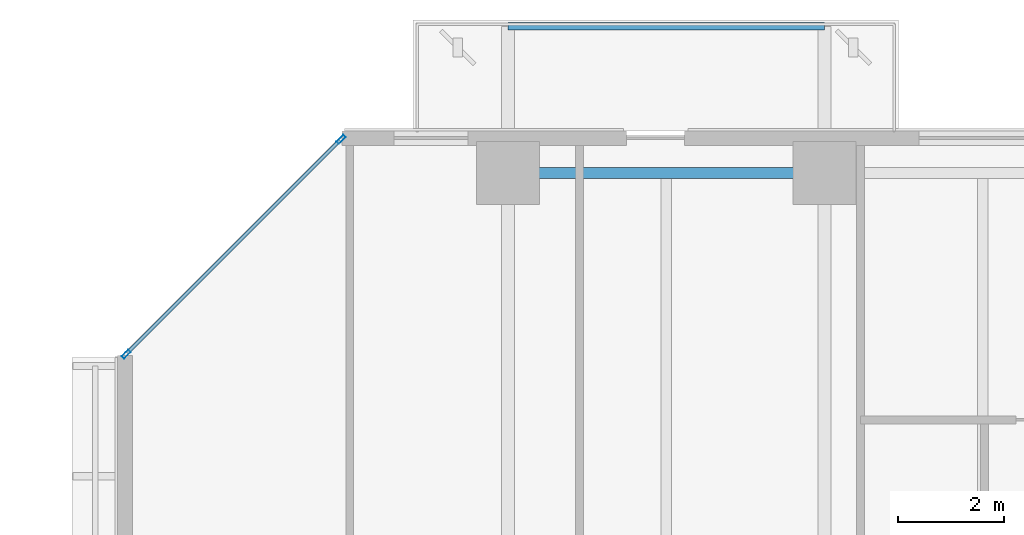
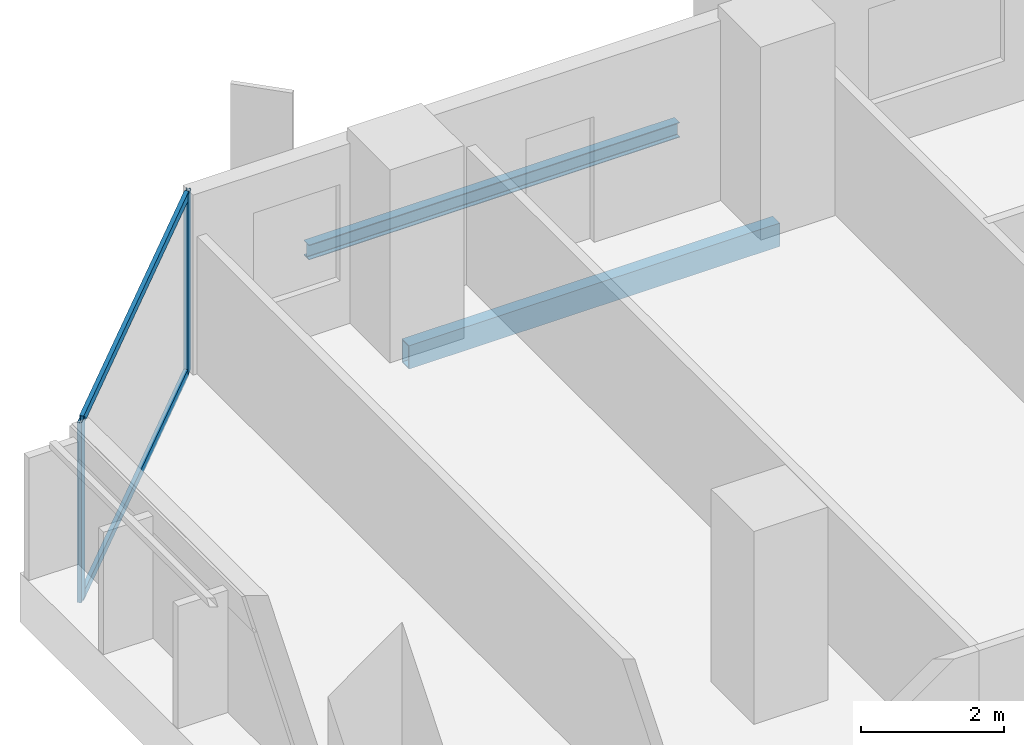
# One storey, part 8 of 33: 4 members, 2 beams, 1 element without a shape of its own.
"""IFC4 building model written with IfcOpenShell, lengths in metres."""

from ifc_helpers import new_model, si_unit, direction, frame, origin, origin_2d, place, context, subcontext, project, spatial, hollow_rectangle, i_section, extrude, material, layer, layer_set, material_profile, profile_set, type_object, element, aggregate, save


model = new_model("IFC4")

# Units and contexts
model_context = context("Model", 3, precision=1e-05, world=origin(), true_north=direction((0.0, 1.0)))
body_context = subcontext(model_context, "Body", "Model", "MODEL_VIEW")
ifc_project = project(units=[si_unit("LENGTHUNIT", "METRE"), si_unit("AREAUNIT", "SQUARE_METRE"), si_unit("VOLUMEUNIT", "CUBIC_METRE"), si_unit("PLANEANGLEUNIT", "RADIAN"), si_unit("MASSUNIT", "GRAM", prefix="KILO")], contexts=[model_context])

# Site, building, storey
site_placement = place(None, origin())
site = spatial("IfcSite", under=ifc_project, at=site_placement, CompositionType="ELEMENT")
building_placement = place(site_placement, origin())
building = spatial("IfcBuilding", under=site, at=building_placement, Name="Tanjung Sevakor Pilgrim Tower", CompositionType="ELEMENT")
storey_placement = place(building_placement, frame((0.0, 0.0, 35.639892578125)))
storey = spatial("IfcBuildingStorey", under=building, at=storey_placement, Name="L09", CompositionType="ELEMENT", Elevation=35.639892578125)

# Beams
ifc_material_1 = material(Name="Steel S355J2", Category="steel")
ifc_material_profile_1 = material_profile(ifc_material_1, i_section(OverallWidth=0.146484375, OverallDepth=0.256103515625, WebThickness=0.00634765625, FlangeThickness=0.010986328125, FilletRadius=0.007568359375, at=origin_2d()))
ifc_profile_set_1 = profile_set([ifc_material_profile_1], Name="Steel S355J2")
beam_type_1 = type_object("IfcBeamType", Name="BM-B-J6-UB_254x146x37", PredefinedType="JOIST", material=ifc_profile_set_1)
beam_1_placement = place(storey_placement, frame((24.0, 61.580078125, -0.327880859375), z_axis=(1.0, 0.0, 0.0), x_axis=(0.0, 1.0, 0.0)))
element("IfcBeam", 1, at=beam_1_placement, inside=storey, type_object=beam_type_1, Name="L09 Balcony Rim Tie MAIN-N1", PredefinedType="JOIST", context=body_context, shape_type="SweptSolid", body=[
    extrude(i_section(OverallWidth=0.146484375, OverallDepth=0.256103515625, WebThickness=0.00634765625, FlangeThickness=0.010986328125, FilletRadius=0.007568359375, at=origin_2d()), origin(), (0.0, 0.0, 1.0), 6.0),
])
ifc_material_2 = material(Name="Steel S355J2", Category="steel")
ifc_material_profile_2 = material_profile(ifc_material_2, hollow_rectangle(XDim=0.199951171875, YDim=0.39990234375, WallThickness=0.01611328125, at=origin_2d()))
ifc_profile_set_2 = profile_set([ifc_material_profile_2], Name="Steel S355J2")
beam_type_2 = type_object("IfcBeamType", Name="BM-B-SP2-RHS_400x200x16", PredefinedType="SPANDREL", material=ifc_profile_set_2)
beam_2_placement = place(storey_placement, frame((24.0, 58.800048828125, -0.419921875), z_axis=(1.0, 0.0, 0.0), x_axis=(0.0, 1.0, 0.0)))
element("IfcBeam", 2, at=beam_2_placement, inside=storey, type_object=beam_type_2, Name="L09 Spandrel MAIN N-02", PredefinedType="SPANDREL", context=body_context, shape_type="SweptSolid", body=[
    extrude(hollow_rectangle(XDim=0.199951171875, YDim=0.39990234375, WallThickness=0.01611328125, at=origin_2d()), origin(), (0.0, 0.0, 1.0), 6.0),
])

# Curtain wall, members
ifc_material_3 = material(Name="Aluminium 6063-T6 and Low-E Glass", Category="aluminium")
ifc_layer = layer(ifc_material_3, 0.179931640625)
ifc_layer_set = layer_set([ifc_layer], Name="CW-SYS-CHAM")
curtain_wall_type = type_object("IfcCurtainWallType", Name="CW-SYS-CHAM", PredefinedType="NOTDEFINED", material=ifc_layer_set)
curtain_wall_placement = place(storey_placement, origin())
curtain_wall = element("IfcCurtainWall", 3, at=curtain_wall_placement, inside=storey, type_object=curtain_wall_type, Name="L09 Curtain Wall CW-CHM-L09-MAIN-13", PredefinedType="NOTDEFINED")
ifc_material_4 = material(Name="Aluminium 6063-T6", Category="aluminium")
ifc_material_profile_3 = material_profile(ifc_material_4, hollow_rectangle(XDim=0.06494140625, YDim=0.179931640625, WallThickness=0.00390625, at=origin_2d()))
ifc_profile_set_3 = profile_set([ifc_material_profile_3], Name="Aluminium 6063-T6")
member_type_1 = type_object("IfcMemberType", Name="TYPE-CWM-1", PredefinedType="MULLION", material=ifc_profile_set_3)
member_1_placement = place(storey_placement, frame((20.8349609375, 59.43701171875, 0.0), z_axis=(0.0, 0.0, 1.0), x_axis=(0.707106781187, -0.707106781187, 0.0)))
member_1 = element("IfcMember", 4, at=member_1_placement, type_object=member_type_1, Name="CW-CHM mullion 1", PredefinedType="MULLION", context=body_context, shape_type="SweptSolid", body=[
    extrude(hollow_rectangle(XDim=0.06494140625, YDim=0.179931640625, WallThickness=0.00390625, at=origin_2d()), origin(), (0.0, 0.0, 1.0), 3.080078125),
])
member_2_placement = place(storey_placement, frame((16.762939453125, 55.364990234375, 0.0), z_axis=(0.0, 0.0, 1.0), x_axis=(0.707106781187, -0.707106781187, 0.0)))
member_2 = element("IfcMember", 5, at=member_2_placement, type_object=member_type_1, Name="CW-CHM mullion 2", PredefinedType="MULLION", context=body_context, shape_type="SweptSolid", body=[
    extrude(hollow_rectangle(XDim=0.06494140625, YDim=0.179931640625, WallThickness=0.00390625, at=origin_2d()), origin(), (0.0, 0.0, 1.0), 3.080078125),
])
ifc_material_5 = material(Name="Aluminium 6063-T6", Category="aluminium")
ifc_material_profile_4 = material_profile(ifc_material_5, hollow_rectangle(XDim=0.06494140625, YDim=0.139892578125, WallThickness=0.00390625, at=origin_2d()))
ifc_profile_set_4 = profile_set([ifc_material_profile_4], Name="Aluminium 6063-T6")
member_type_2 = type_object("IfcMemberType", Name="TYPE-CWT-1", PredefinedType="USERDEFINED", material=ifc_profile_set_4)
member_3_placement = place(storey_placement, frame((20.81201171875, 59.4140625, 0.03271484375), z_axis=(-0.707106781187, -0.707106781187, 0.0), x_axis=(0.707106781187, -0.707106781187, 0.0)))
member_3 = element("IfcMember", 6, at=member_3_placement, type_object=member_type_2, Name="CW-CHM transom 1.1", ObjectType="TRANSOM", PredefinedType="USERDEFINED", context=body_context, shape_type="SweptSolid", body=[
    extrude(hollow_rectangle(XDim=0.06494140625, YDim=0.139892578125, WallThickness=0.00390625, at=origin_2d()), origin(), (0.0, 0.0, 1.0), 5.69384765625),
])
member_4_placement = place(storey_placement, frame((20.81201171875, 59.4140625, 3.047607421875), z_axis=(-0.707106781187, -0.707106781187, 0.0), x_axis=(0.707106781187, -0.707106781187, 0.0)))
member_4 = element("IfcMember", 7, at=member_4_placement, type_object=member_type_2, Name="CW-CHM transom 1.2", ObjectType="TRANSOM", PredefinedType="USERDEFINED", context=body_context, shape_type="SweptSolid", body=[
    extrude(hollow_rectangle(XDim=0.06494140625, YDim=0.139892578125, WallThickness=0.00390625, at=origin_2d()), origin(), (0.0, 0.0, 1.0), 5.69384765625),
])
aggregate(curtain_wall, [member_1, member_2, member_3, member_4])

save(model, "model.ifc")
